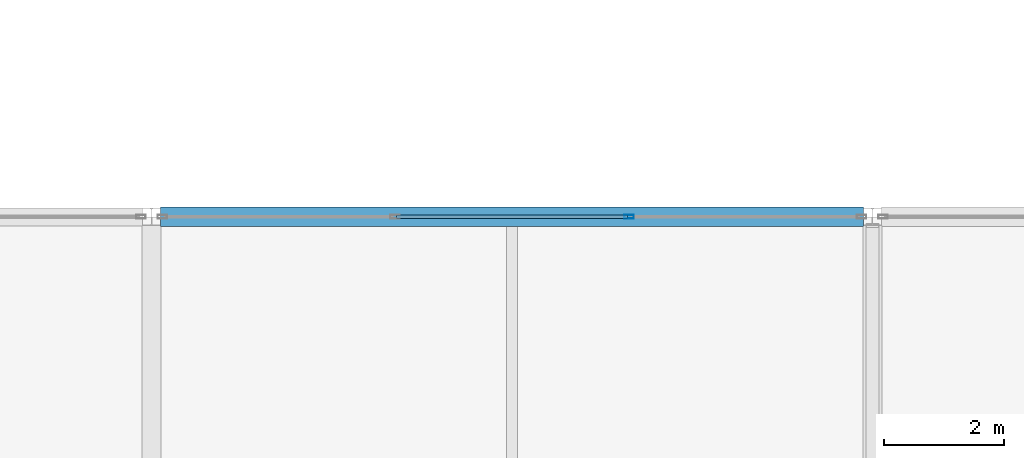
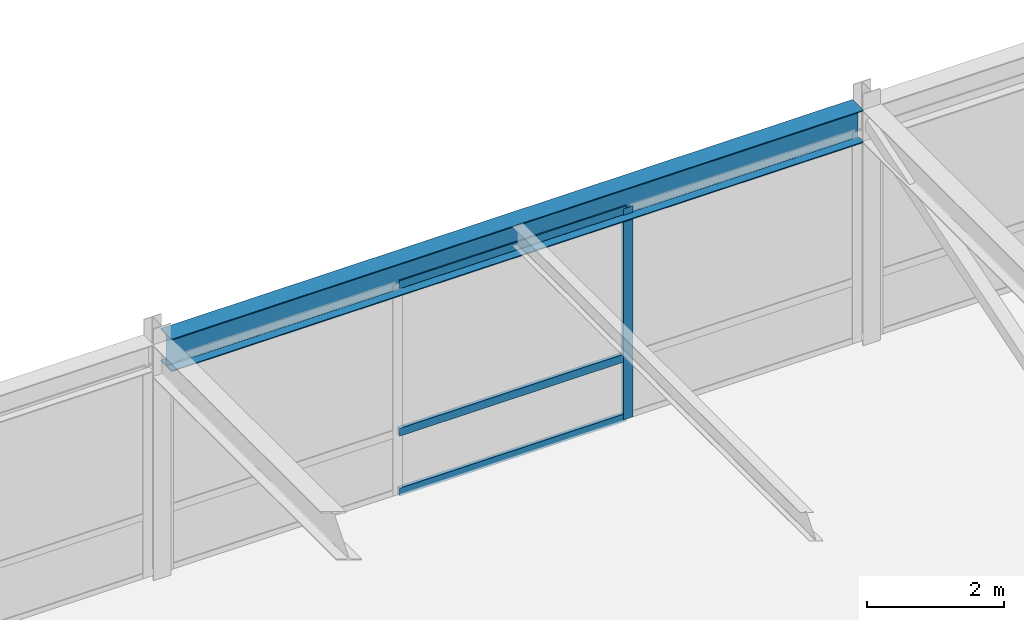
# One storey, part 28 of 108: 4 members, 1 beam, 1 element without a shape of its own.
"""IFC4 building model written with IfcOpenShell, lengths in metres."""

from ifc_helpers import new_model, si_unit, direction, frame, origin, origin_2d, place, context, subcontext, project, spatial, hollow_rectangle, i_section, extrude, material, layer, layer_set, material_profile, profile_set, type_object, element, aggregate, save


model = new_model("IFC4")

# Units and contexts
model_context = context("Model", 3, precision=1e-05, world=origin(), true_north=direction((0.0, 1.0)))
body_context = subcontext(model_context, "Body", "Model", "MODEL_VIEW")
ifc_project = project(units=[si_unit("LENGTHUNIT", "METRE"), si_unit("AREAUNIT", "SQUARE_METRE"), si_unit("VOLUMEUNIT", "CUBIC_METRE"), si_unit("PLANEANGLEUNIT", "RADIAN"), si_unit("MASSUNIT", "GRAM", prefix="KILO")], contexts=[model_context])

# Site, building, storey
site_placement = place(None, origin())
site = spatial("IfcSite", under=ifc_project, at=site_placement, CompositionType="ELEMENT")
building_placement = place(site_placement, origin())
building = spatial("IfcBuilding", under=site, at=building_placement, Name="Zlatovratsky Civic Hall", CompositionType="ELEMENT")
storey_placement = place(building_placement, frame((0.0, 0.0, 12.0)))
storey = spatial("IfcBuildingStorey", under=building, at=storey_placement, Name="L03", CompositionType="ELEMENT", Elevation=12.0)

# Beam
ifc_material_1 = material(Name="Steel S355", Category="steel")
ifc_material_profile_1 = material_profile(ifc_material_1, i_section(OverallWidth=0.320068359375, OverallDepth=0.58203125, WebThickness=0.011962890625, FlangeThickness=0.01708984375, FilletRadius=0.02392578125, at=origin_2d()), Name="60Sh1")
ifc_profile_set_1 = profile_set([ifc_material_profile_1], Name="Steel S355")
beam_type = type_object("IfcBeamType", Name="Beam_PodiumGirder_60Sh1", PredefinedType="BEAM", material=ifc_profile_set_1)
beam_placement = place(storey_placement, frame((24.1494140625, 30.0, 3.928955078125), z_axis=(1.0, 0.0, 0.0), x_axis=(0.0, 1.0, 0.0)))
element("IfcBeam", 1, at=beam_placement, inside=storey, type_object=beam_type, Name="BM-2528", PredefinedType="BEAM", context=body_context, shape_type="SweptSolid", body=[
    extrude(i_section(OverallWidth=0.320068359375, OverallDepth=0.58203125, WebThickness=0.011962890625, FlangeThickness=0.01708984375, FilletRadius=0.02392578125, at=origin_2d()), origin(), (0.0, 0.0, 1.0), 11.701171875),
])

# Curtain wall, members
ifc_material_2 = material(Name="Anodised bronze aluminium", Category="aluminium")
ifc_layer = layer(ifc_material_2, 0.159912109375)
ifc_layer_set = layer_set([ifc_layer], Name="Anodised bronze aluminium")
curtain_wall_type = type_object("IfcCurtainWallType", Name="CurtainWall_Bronze_11700x3770_11", PredefinedType="NOTDEFINED", material=ifc_layer_set)
curtain_wall_placement = place(storey_placement, origin())
curtain_wall = element("IfcCurtainWall", 2, at=curtain_wall_placement, inside=storey, type_object=curtain_wall_type, Name="CW-052", PredefinedType="NOTDEFINED")
ifc_material_profile_2 = material_profile(ifc_material_2, hollow_rectangle(XDim=0.06005859375, YDim=0.159912109375, WallThickness=0.00390625, at=origin_2d()), Name="ALU 60x160x4")
ifc_profile_set_2 = profile_set([ifc_material_profile_2], Name="Anodised bronze aluminium")
member_type_1 = type_object("IfcMemberType", Name="CW_Mullion_60x160", PredefinedType="MULLION", material=ifc_profile_set_2)
member_1_placement = place(storey_placement, frame((31.9501953125, 30.0, 0.0), z_axis=(0.0, 0.0, 1.0), x_axis=(0.0, 1.0, 0.0)))
member_1 = element("IfcMember", 3, at=member_1_placement, type_object=member_type_1, Name="CW-11 mullion 3", PredefinedType="MULLION", context=body_context, shape_type="SweptSolid", body=[
    extrude(hollow_rectangle(XDim=0.06005859375, YDim=0.159912109375, WallThickness=0.00390625, at=origin_2d()), origin(), (0.0, 0.0, 1.0), 3.77001953125),
])
ifc_material_profile_3 = material_profile(ifc_material_2, hollow_rectangle(XDim=0.06005859375, YDim=0.139892578125, WallThickness=0.00390625, at=origin_2d()), Name="ALU 60x140x4")
ifc_profile_set_3 = profile_set([ifc_material_profile_3], Name="Anodised bronze aluminium")
member_type_2 = type_object("IfcMemberType", Name="CW_Transom_60x140", PredefinedType="USERDEFINED", material=ifc_profile_set_3)
member_2_placement = place(storey_placement, frame((28.079833984375, 30.0, 0.030029296875), z_axis=(1.0, 0.0, 0.0), x_axis=(0.0, 1.0, 0.0)))
member_2 = element("IfcMember", 4, at=member_2_placement, type_object=member_type_2, Name="CW-11 transom 2.1", ObjectType="TRANSOM", PredefinedType="USERDEFINED", context=body_context, shape_type="SweptSolid", body=[
    extrude(hollow_rectangle(XDim=0.06005859375, YDim=0.139892578125, WallThickness=0.00390625, at=origin_2d()), origin(), (0.0, 0.0, 1.0), 3.84033203125),
])
member_3_placement = place(storey_placement, frame((28.079833984375, 30.0, 1.10009765625), z_axis=(1.0, 0.0, 0.0), x_axis=(0.0, 1.0, 0.0)))
member_3 = element("IfcMember", 5, at=member_3_placement, type_object=member_type_2, Name="CW-11 transom 2.2", ObjectType="TRANSOM", PredefinedType="USERDEFINED", context=body_context, shape_type="SweptSolid", body=[
    extrude(hollow_rectangle(XDim=0.06005859375, YDim=0.139892578125, WallThickness=0.00390625, at=origin_2d()), origin(), (0.0, 0.0, 1.0), 3.84033203125),
])
member_4_placement = place(storey_placement, frame((28.079833984375, 30.0, 3.739990234375), z_axis=(1.0, 0.0, 0.0), x_axis=(0.0, 1.0, 0.0)))
member_4 = element("IfcMember", 6, at=member_4_placement, type_object=member_type_2, Name="CW-11 transom 2.3", ObjectType="TRANSOM", PredefinedType="USERDEFINED", context=body_context, shape_type="SweptSolid", body=[
    extrude(hollow_rectangle(XDim=0.06005859375, YDim=0.139892578125, WallThickness=0.00390625, at=origin_2d()), origin(), (0.0, 0.0, 1.0), 3.84033203125),
])
aggregate(curtain_wall, [member_1, member_2, member_3, member_4])

save(model, "model.ifc")
